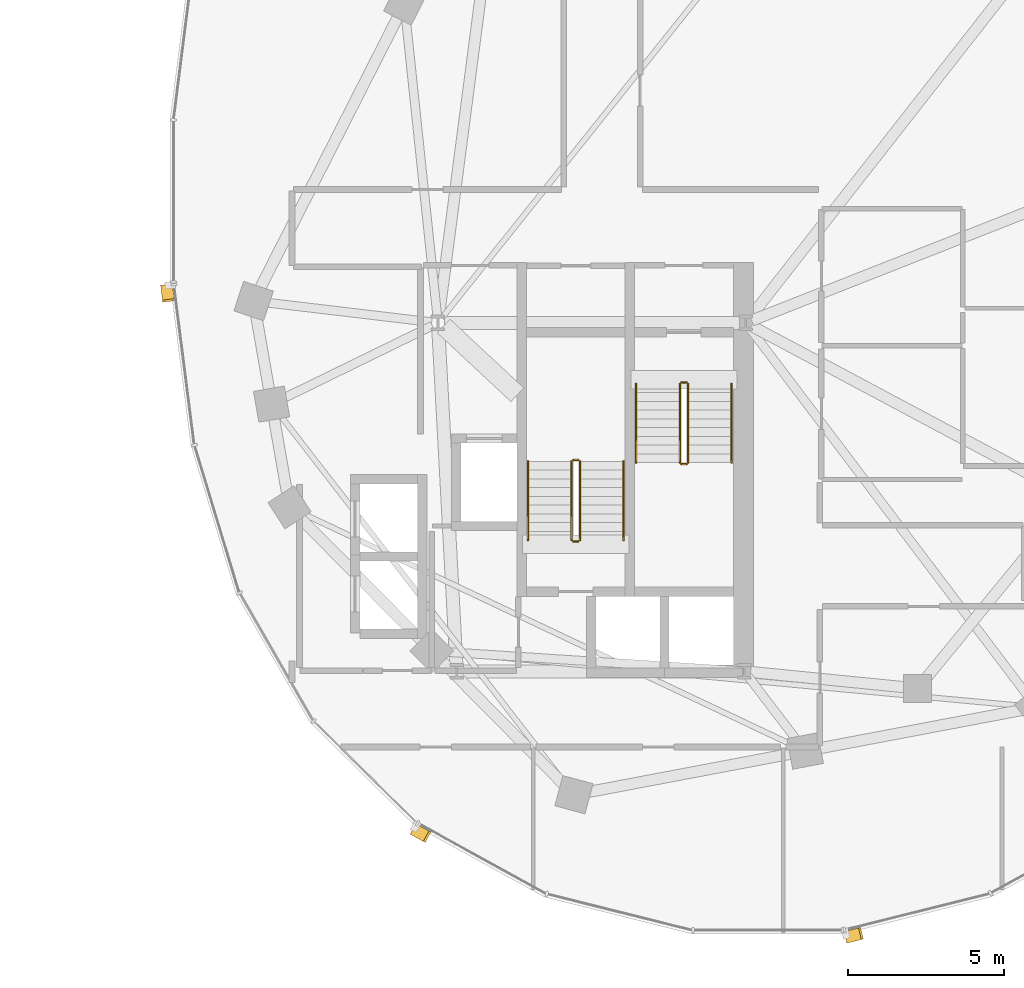
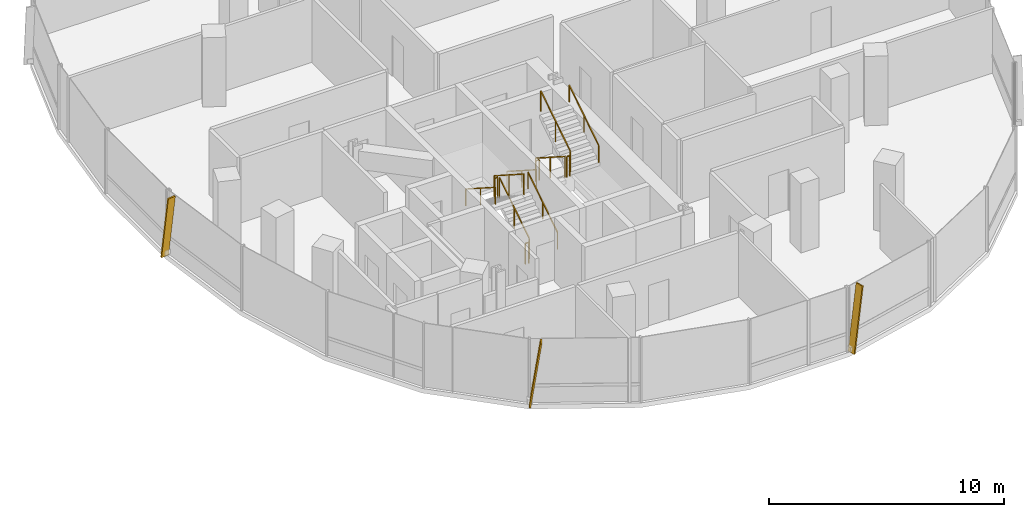
# One storey, part 22 of 23: 12 railings, 3 shading devices.
"""IFC4 building model written with IfcOpenShell, lengths in metres."""

from ifc_helpers import new_model, si_unit, direction, frame, origin, origin_2d, place, context, subcontext, project, spatial, rectangle, extrude, material, material_profile, profile_set, type_object, element, save


model = new_model("IFC4")

# Units and contexts
model_context = context("Model", 3, precision=1e-05, world=origin(), true_north=direction((0.0, 1.0)))
body_context = subcontext(model_context, "Body", "Model", "MODEL_VIEW")
ifc_project = project(units=[si_unit("LENGTHUNIT", "METRE"), si_unit("AREAUNIT", "SQUARE_METRE"), si_unit("VOLUMEUNIT", "CUBIC_METRE"), si_unit("PLANEANGLEUNIT", "RADIAN"), si_unit("MASSUNIT", "GRAM", prefix="KILO"), si_unit("THERMODYNAMICTEMPERATUREUNIT", "KELVIN"), si_unit("POWERUNIT", "WATT")], contexts=[model_context])

# Site, building, storey
site_placement = place(None, origin())
site = spatial("IfcSite", under=ifc_project, at=site_placement, CompositionType="ELEMENT")
building_placement = place(site_placement, origin())
building = spatial("IfcBuilding", under=site, at=building_placement, Name="Cundina Bronze Exchange", CompositionType="ELEMENT")
storey_placement = place(building_placement, frame((0.0, 0.0, 169.199951171875)))
storey = spatial("IfcBuildingStorey", under=building, at=storey_placement, Name="L44", CompositionType="ELEMENT", Elevation=169.199951171875)

# Railings
ifc_material_1 = material(Name="Steel ASTM A36 Painted", Category="steel")
railing_type_1 = type_object("IfcRailingType", Name="RLG-HND-900", PredefinedType="HANDRAIL", material=ifc_material_1)
railing_1_placement = place(storey_placement, frame((27.7900390625, -5.85009765625, 0.179931640625)))
element("IfcRailing", 1, at=railing_1_placement, inside=storey, type_object=railing_type_1, Name="L44 ST-E1 stair handrail 1", PredefinedType="HANDRAIL", context=body_context, shape_type="SweptSolid", body=[
    extrude(rectangle(XDim=0.048095703125, YDim=0.048095703125, at=origin_2d()), frame((0.0, 0.0, 0.8759765625), z_axis=(0.0, -0.841162588446, 0.540782303519), x_axis=(1.0, 0.0, 0.0)), (0.0, 0.0, 1.0), 2.995849609375),
    extrude(rectangle(XDim=0.0419921875, YDim=0.0419921875, at=origin_2d()), origin(), (0.0, 0.0, 1.0), 0.851806640625),
    extrude(rectangle(XDim=0.0419921875, YDim=0.0419921875, at=origin_2d()), frame((0.0, -1.260009765625, 0.81005859375)), (0.0, 0.0, 1.0), 0.851806640625),
    extrude(rectangle(XDim=0.0419921875, YDim=0.0419921875, at=origin_2d()), frame((0.0, -2.52001953125, 1.6201171875)), (0.0, 0.0, 1.0), 0.851806640625),
])
for number, where, name in (
    (2, (30.85009765625, -8.3701171875, 1.97998046875), "L44 ST-E1 stair handrail 2"),
    (3, (27.389892578125, -10.85009765625, 0.179931640625), "L44 ST-E2 stair handrail 1"),
):
    element("IfcRailing", number, at=place(storey_placement, frame(where)), inside=storey, type_object=railing_type_1, Name=name, PredefinedType="HANDRAIL", context=body_context, shape_type="SweptSolid", body=[
        extrude(rectangle(XDim=0.048095703125, YDim=0.048095703125, at=origin_2d()), frame((0.0, 0.0, 0.8759765625), z_axis=(0.0, 0.841162588446, 0.540782303519), x_axis=(-1.0, 0.0, 0.0)), (0.0, 0.0, 1.0), 2.995849609375),
        extrude(rectangle(XDim=0.0419921875, YDim=0.0419921875, at=origin_2d()), origin(), (0.0, 0.0, 1.0), 0.851806640625),
        extrude(rectangle(XDim=0.0419921875, YDim=0.0419921875, at=origin_2d()), frame((0.0, 1.260009765625, 0.81005859375)), (0.0, 0.0, 1.0), 0.851806640625),
        extrude(rectangle(XDim=0.0419921875, YDim=0.0419921875, at=origin_2d()), frame((0.0, 2.52001953125, 1.6201171875)), (0.0, 0.0, 1.0), 0.851806640625),
    ])
railing_2_placement = place(storey_placement, frame((24.330078125, -8.330078125, 1.97998046875)))
element("IfcRailing", 4, at=railing_2_placement, inside=storey, type_object=railing_type_1, Name="L44 ST-E2 stair handrail 2", PredefinedType="HANDRAIL", context=body_context, shape_type="SweptSolid", body=[
    extrude(rectangle(XDim=0.048095703125, YDim=0.048095703125, at=origin_2d()), frame((0.0, 0.0, 0.8759765625), z_axis=(0.0, -0.841162588446, 0.540782303519), x_axis=(1.0, 0.0, 0.0)), (0.0, 0.0, 1.0), 2.995849609375),
    extrude(rectangle(XDim=0.0419921875, YDim=0.0419921875, at=origin_2d()), origin(), (0.0, 0.0, 1.0), 0.851806640625),
    extrude(rectangle(XDim=0.0419921875, YDim=0.0419921875, at=origin_2d()), frame((0.0, -1.260009765625, 0.81005859375)), (0.0, 0.0, 1.0), 0.851806640625),
    extrude(rectangle(XDim=0.0419921875, YDim=0.0419921875, at=origin_2d()), frame((0.0, -2.52001953125, 1.6201171875)), (0.0, 0.0, 1.0), 0.851806640625),
])
railing_type_2 = type_object("IfcRailingType", Name="RLG-STG-1100", PredefinedType="GUARDRAIL", material=ifc_material_1)
railing_3_placement = place(storey_placement, frame((29.18994140625, -5.85009765625, 0.179931640625)))
element("IfcRailing", 5, at=railing_3_placement, inside=storey, type_object=railing_type_2, Name="L44 ST-E1 stair guard 1", PredefinedType="GUARDRAIL", context=body_context, shape_type="SweptSolid", body=[
    extrude(rectangle(XDim=0.048095703125, YDim=0.048095703125, at=origin_2d()), frame((0.0, 0.0, 1.076171875), z_axis=(0.0, -0.841162588446, 0.540782303519), x_axis=(1.0, 0.0, 0.0)), (0.0, 0.0, 1.0), 2.995849609375),
    extrude(rectangle(XDim=0.0419921875, YDim=0.0419921875, at=origin_2d()), origin(), (0.0, 0.0, 1.0), 1.052001953125),
    extrude(rectangle(XDim=0.0419921875, YDim=0.0419921875, at=origin_2d()), frame((0.0, -1.260009765625, 0.81005859375)), (0.0, 0.0, 1.0), 1.052001953125),
    extrude(rectangle(XDim=0.0419921875, YDim=0.0419921875, at=origin_2d()), frame((0.0, -2.52001953125, 1.6201171875)), (0.0, 0.0, 1.0), 1.052001953125),
])
railing_4_placement = place(storey_placement, frame((29.239990234375, -8.419921875, 1.800048828125)))
element("IfcRailing", 6, at=railing_4_placement, inside=storey, type_object=railing_type_2, Name="L44 ST-E1 stair guard 2", PredefinedType="GUARDRAIL", context=body_context, shape_type="SweptSolid", body=[
    extrude(rectangle(XDim=0.048095703125, YDim=0.048095703125, at=origin_2d()), frame((0.0, 0.0, 1.076171875), z_axis=(1.0, 0.0, 0.0), x_axis=(0.0, 1.0, 0.0)), (0.0, 0.0, 1.0), 0.159912109375),
    extrude(rectangle(XDim=0.0419921875, YDim=0.0419921875, at=origin_2d()), origin(), (0.0, 0.0, 1.0), 1.052001953125),
    extrude(rectangle(XDim=0.0419921875, YDim=0.0419921875, at=origin_2d()), frame((0.159912109375, 0.0, 0.0)), (0.0, 0.0, 1.0), 1.052001953125),
])
railing_5_placement = place(storey_placement, frame((29.449951171875, -8.3701171875, 1.97998046875)))
element("IfcRailing", 7, at=railing_5_placement, inside=storey, type_object=railing_type_2, Name="L44 ST-E1 stair guard 3", PredefinedType="GUARDRAIL", context=body_context, shape_type="SweptSolid", body=[
    extrude(rectangle(XDim=0.048095703125, YDim=0.048095703125, at=origin_2d()), frame((0.0, 0.0, 1.076171875), z_axis=(0.0, 0.841162588446, 0.540782303519), x_axis=(-1.0, 0.0, 0.0)), (0.0, 0.0, 1.0), 2.995849609375),
    extrude(rectangle(XDim=0.0419921875, YDim=0.0419921875, at=origin_2d()), origin(), (0.0, 0.0, 1.0), 1.052001953125),
    extrude(rectangle(XDim=0.0419921875, YDim=0.0419921875, at=origin_2d()), frame((0.0, 1.260009765625, 0.81005859375)), (0.0, 0.0, 1.0), 1.052001953125),
    extrude(rectangle(XDim=0.0419921875, YDim=0.0419921875, at=origin_2d()), frame((0.0, 2.52001953125, 1.6201171875)), (0.0, 0.0, 1.0), 1.052001953125),
])
railing_6_placement = place(storey_placement, frame((29.239990234375, -5.800048828125, 0.0)))
element("IfcRailing", 8, at=railing_6_placement, inside=storey, type_object=railing_type_2, Name="L44 ST-E1 stair guard 4", PredefinedType="GUARDRAIL", context=body_context, shape_type="SweptSolid", body=[
    extrude(rectangle(XDim=0.048095703125, YDim=0.048095703125, at=origin_2d()), frame((0.0, 0.0, 1.076171875), z_axis=(1.0, 0.0, 0.0), x_axis=(0.0, 1.0, 0.0)), (0.0, 0.0, 1.0), 0.159912109375),
    extrude(rectangle(XDim=0.0419921875, YDim=0.0419921875, at=origin_2d()), origin(), (0.0, 0.0, 1.0), 1.052001953125),
    extrude(rectangle(XDim=0.0419921875, YDim=0.0419921875, at=origin_2d()), frame((0.159912109375, 0.0, 0.0)), (0.0, 0.0, 1.0), 1.052001953125),
])
railing_7_placement = place(storey_placement, frame((25.989990234375, -10.85009765625, 0.179931640625)))
element("IfcRailing", 9, at=railing_7_placement, inside=storey, type_object=railing_type_2, Name="L44 ST-E2 stair guard 1", PredefinedType="GUARDRAIL", context=body_context, shape_type="SweptSolid", body=[
    extrude(rectangle(XDim=0.048095703125, YDim=0.048095703125, at=origin_2d()), frame((0.0, 0.0, 1.076171875), z_axis=(0.0, 0.841162588446, 0.540782303519), x_axis=(-1.0, 0.0, 0.0)), (0.0, 0.0, 1.0), 2.995849609375),
    extrude(rectangle(XDim=0.0419921875, YDim=0.0419921875, at=origin_2d()), origin(), (0.0, 0.0, 1.0), 1.052001953125),
    extrude(rectangle(XDim=0.0419921875, YDim=0.0419921875, at=origin_2d()), frame((0.0, 1.260009765625, 0.81005859375)), (0.0, 0.0, 1.0), 1.052001953125),
    extrude(rectangle(XDim=0.0419921875, YDim=0.0419921875, at=origin_2d()), frame((0.0, 2.52001953125, 1.6201171875)), (0.0, 0.0, 1.0), 1.052001953125),
])
railing_8_placement = place(storey_placement, frame((25.93994140625, -8.280029296875, 1.800048828125)))
element("IfcRailing", 10, at=railing_8_placement, inside=storey, type_object=railing_type_2, Name="L44 ST-E2 stair guard 2", PredefinedType="GUARDRAIL", context=body_context, shape_type="SweptSolid", body=[
    extrude(rectangle(XDim=0.048095703125, YDim=0.048095703125, at=origin_2d()), frame((0.0, 0.0, 1.076171875), z_axis=(-1.0, 0.0, 0.0), x_axis=(0.0, -1.0, 0.0)), (0.0, 0.0, 1.0), 0.159912109375),
    extrude(rectangle(XDim=0.0419921875, YDim=0.0419921875, at=origin_2d()), origin(), (0.0, 0.0, 1.0), 1.052001953125),
    extrude(rectangle(XDim=0.0419921875, YDim=0.0419921875, at=origin_2d()), frame((-0.159912109375, 0.0, 0.0)), (0.0, 0.0, 1.0), 1.052001953125),
])
railing_9_placement = place(storey_placement, frame((25.72998046875, -8.330078125, 1.97998046875)))
element("IfcRailing", 11, at=railing_9_placement, inside=storey, type_object=railing_type_2, Name="L44 ST-E2 stair guard 3", PredefinedType="GUARDRAIL", context=body_context, shape_type="SweptSolid", body=[
    extrude(rectangle(XDim=0.048095703125, YDim=0.048095703125, at=origin_2d()), frame((0.0, 0.0, 1.076171875), z_axis=(0.0, -0.841162588446, 0.540782303519), x_axis=(1.0, 0.0, 0.0)), (0.0, 0.0, 1.0), 2.995849609375),
    extrude(rectangle(XDim=0.0419921875, YDim=0.0419921875, at=origin_2d()), origin(), (0.0, 0.0, 1.0), 1.052001953125),
    extrude(rectangle(XDim=0.0419921875, YDim=0.0419921875, at=origin_2d()), frame((0.0, -1.260009765625, 0.81005859375)), (0.0, 0.0, 1.0), 1.052001953125),
    extrude(rectangle(XDim=0.0419921875, YDim=0.0419921875, at=origin_2d()), frame((0.0, -2.52001953125, 1.6201171875)), (0.0, 0.0, 1.0), 1.052001953125),
])
railing_10_placement = place(storey_placement, frame((25.93994140625, -10.89990234375, 0.0)))
element("IfcRailing", 12, at=railing_10_placement, inside=storey, type_object=railing_type_2, Name="L44 ST-E2 stair guard 4", PredefinedType="GUARDRAIL", context=body_context, shape_type="SweptSolid", body=[
    extrude(rectangle(XDim=0.048095703125, YDim=0.048095703125, at=origin_2d()), frame((0.0, 0.0, 1.076171875), z_axis=(-1.0, 0.0, 0.0), x_axis=(0.0, -1.0, 0.0)), (0.0, 0.0, 1.0), 0.159912109375),
    extrude(rectangle(XDim=0.0419921875, YDim=0.0419921875, at=origin_2d()), origin(), (0.0, 0.0, 1.0), 1.052001953125),
    extrude(rectangle(XDim=0.0419921875, YDim=0.0419921875, at=origin_2d()), frame((-0.159912109375, 0.0, 0.0)), (0.0, 0.0, 1.0), 1.052001953125),
])

# Shading devices
ifc_material_2 = material(Name="Anodised Bronze Aluminium 6063-T6", Category="aluminium")
ifc_material_profile = material_profile(ifc_material_2, rectangle(XDim=0.070068359375, YDim=0.3798828125, at=origin_2d()), Name="FIN70X380", Category="aluminium")
ifc_profile_set = profile_set([ifc_material_profile], Name="Anodised Bronze Aluminium 6063-T6")
shading_device_type = type_object("IfcShadingDeviceType", Name="SHD-FIN-BRZ380", PredefinedType="USERDEFINED", material=ifc_profile_set)
for number, where, z_axis, x_axis, name in (
    (13, (12.76513671875, -2.705810546875, 0.02001953125), (0.018121805099, -0.141917750773, 0.989712560391), (-0.125360789044, 0.981741119016, 0.143070080046), "L44 Diagonal Bronze Solar Fin 1"),
    (14, (20.679931640625, -20.11181640625, 0.02001953125), (0.125324460949, -0.068993954111, 0.989713905017), (-0.867011652888, 0.477309551067, 0.143060778049), "L44 Diagonal Bronze Solar Fin 5"),
    (15, (34.51953125, -23.556396484375, 0.02001953125), (0.138788401144, 0.034715294885, 0.989713407007), (-0.960133415413, -0.240159223467, 0.14306422331), "L44 Diagonal Bronze Solar Fin 1"),
):
    element("IfcShadingDevice", number, at=place(storey_placement, frame(where, z_axis=z_axis, x_axis=x_axis)), inside=storey, type_object=shading_device_type, Name=name, ObjectType="FIN", PredefinedType="USERDEFINED", context=body_context, shape_type="SweptSolid", body=[
        extrude(rectangle(XDim=0.070068359375, YDim=0.3798828125, at=origin_2d()), origin(), (0.0, 0.0, 1.0), 3.3544921875),
    ])

save(model, "model.ifc")
